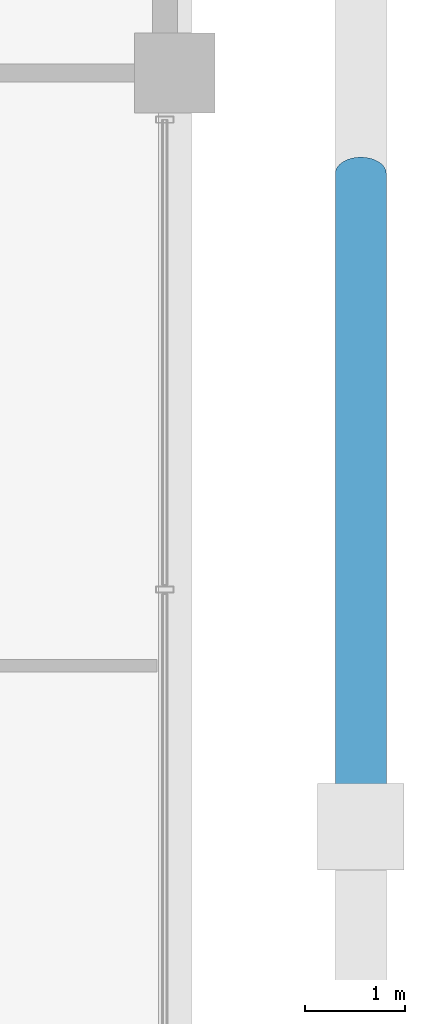
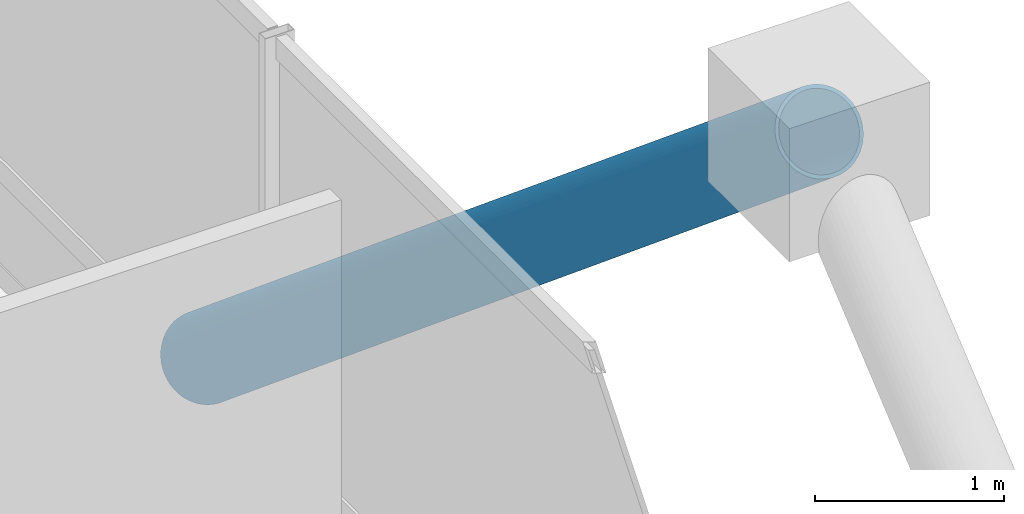
# One storey, part 10 of 23: 1 member.
"""IFC4 building model written with IfcOpenShell, lengths in metres."""

import ifcopenshell
import ifcopenshell.guid

model = None  # the IFC model being written
_history = None  # IfcOwnerHistory: only IFC2X3 demands one
_inside = {}  # id of a spatial element -> (the spatial element, [elements in it])
_under = {}  # id of a project, library or spatial element -> (it, [spatial elements below it])
_declared = {}  # id of a project -> (the project, [libraries it declares])
_typed = {}  # id of a type object -> (the type object, [elements of that type])
_made_of = {}  # id of a material, layer set ... -> (it, [elements and type objects made of it])


def new_model(schema):
    """Start an empty IFC model of exactly this schema.

    Asked for "IFC4X3", IfcOpenShell would pick the latest addendum, in which some entities
    have other attributes; the version numbers below select the first issue.
    IFC2X3 requires an IfcOwnerHistory on every rooted entity: one is made here for all.
    """
    global model, _history
    if schema == "IFC4X3":
        model = ifcopenshell.file(schema_version=(4, 3, 0, 0))
    else:
        model = ifcopenshell.file(schema=schema)
    _inside.clear()
    _under.clear()
    _declared.clear()
    _typed.clear()
    _made_of.clear()
    _history = None
    if model.schema == "IFC2X3":
        org = make("IfcOrganization", Name="unknown")
        user = make(
            "IfcPersonAndOrganization",
            ThePerson=make("IfcPerson", FamilyName="unknown"),
            TheOrganization=org,
        )
        app = make(
            "IfcApplication",
            ApplicationDeveloper=org,
            Version="unknown",
            ApplicationFullName="unknown",
            ApplicationIdentifier="unknown",
        )
        _history = make(
            "IfcOwnerHistory",
            OwningUser=user,
            OwningApplication=app,
            ChangeAction="ADDED",
            CreationDate=0,
        )
    return model


def make(cls, **values):
    """One entity of the class cls with the attributes given. An attribute that is None is left unset."""
    return model.create_entity(
        cls, **{name: value for name, value in values.items() if value is not None}
    )


def rooted(cls, **values):
    """An entity with a GlobalId (a new one), such as an element, a storey or a relation."""
    return make(cls, GlobalId=ifcopenshell.guid.new(), OwnerHistory=_history, **values)


def si_unit(unit_type, name, prefix=None):
    """IfcSIUnit, for example si_unit("LENGTHUNIT", "METRE", prefix="MILLI")."""
    return make("IfcSIUnit", UnitType=unit_type, Prefix=prefix, Name=name)


def assignment(units):
    """IfcUnitAssignment: the units of a project."""
    return None if units is None else make("IfcUnitAssignment", Units=units)


def point(xyz):
    """IfcCartesianPoint."""
    return None if xyz is None else make("IfcCartesianPoint", Coordinates=xyz)


def direction(xyz):
    """IfcDirection."""
    return None if xyz is None else make("IfcDirection", DirectionRatios=xyz)


def frame(location, z_axis=None, x_axis=None):
    """IfcAxis2Placement3D, a coordinate frame: its origin and axes. An axis left out is left unset."""
    return make(
        "IfcAxis2Placement3D",
        Location=point(location),
        Axis=direction(z_axis),
        RefDirection=direction(x_axis),
    )


def frame_2d(location, x_axis=None):
    """IfcAxis2Placement2D, a coordinate frame in the plane: its origin and x axis."""
    return make(
        "IfcAxis2Placement2D", Location=point(location), RefDirection=direction(x_axis)
    )


def origin():
    """The frame at (0, 0, 0) with its axes left unset."""
    return frame((0.0, 0.0, 0.0))


def origin_2d():
    """The frame at (0, 0) in the plane with its x axis left unset."""
    return frame_2d((0.0, 0.0))


def place(relative_to, where):
    """IfcLocalPlacement: puts the frame where relative to a parent placement (None: the world)."""
    return make(
        "IfcLocalPlacement", PlacementRelTo=relative_to, RelativePlacement=where
    )


def context(
    kind, dimensions, precision=None, world=None, true_north=None, identifier=None
):
    """IfcGeometricRepresentationContext, for example the 3D "Model" context."""
    return make(
        "IfcGeometricRepresentationContext",
        ContextIdentifier=identifier,
        ContextType=kind,
        CoordinateSpaceDimension=dimensions,
        Precision=precision,
        WorldCoordinateSystem=world,
        TrueNorth=true_north,
    )


def subcontext(parent, identifier, kind, view, scale=None):
    """IfcGeometricRepresentationSubContext, for example "Body" below "Model"."""
    return make(
        "IfcGeometricRepresentationSubContext",
        ContextIdentifier=identifier,
        ContextType=kind,
        ParentContext=parent,
        TargetScale=scale,
        TargetView=view,
    )


def project(units=None, contexts=None):
    """IfcProject with its units and contexts."""
    return rooted(
        "IfcProject",
        Name="project",
        RepresentationContexts=contexts,
        UnitsInContext=assignment(units),
    )


def spatial(cls, under=None, at=None, **own):
    """A site, building, storey or space (cls), placed at a placement, below another one or the project."""
    s = rooted(cls, ObjectPlacement=at, **own)
    if under is not None:
        _under.setdefault(under.id(), (under, []))[1].append(s)
    return s


def profile(cls, at=None, kind="AREA", **sizes):
    """A parametric profile (cls). Its sizes go by their IFC names, for example OverallWidth=200.0."""
    return make(cls, ProfileType=kind, Position=at, **sizes)


def hollow_circle(**sizes):
    """IfcCircleHollowProfileDef."""
    return profile("IfcCircleHollowProfileDef", **sizes)


def extrude(swept, where, along, depth):
    """IfcExtrudedAreaSolid: the profile swept, set in the frame where, extruded along a direction by depth."""
    return make(
        "IfcExtrudedAreaSolid",
        SweptArea=swept,
        Position=where,
        ExtrudedDirection=direction(along),
        Depth=depth,
    )


def shape(context_of_items, identifier, shape_type, items):
    """IfcShapeRepresentation: the items that make up one representation, for example the "Body"."""
    return make(
        "IfcShapeRepresentation",
        ContextOfItems=context_of_items,
        RepresentationIdentifier=identifier,
        RepresentationType=shape_type,
        Items=items,
    )


def material(Name=None, Category=None):
    """IfcMaterial."""
    return make("IfcMaterial", Name=Name, Category=Category)


def material_profile(
    of_material, cross_section, Name=None, Category=None, Priority=None
):
    """IfcMaterialProfile: a cross section and its material."""
    return make(
        "IfcMaterialProfile",
        Name=Name,
        Material=of_material,
        Profile=cross_section,
        Priority=Priority,
        Category=Category,
    )


def profile_set(profiles, Name=None, composite=None):
    """IfcMaterialProfileSet."""
    return make(
        "IfcMaterialProfileSet",
        Name=Name,
        MaterialProfiles=profiles,
        CompositeProfile=composite,
    )


def made_of(thing, what):
    """Note that an element or type object is made of a material, layer set ...; save() writes the relation."""
    if what is not None:
        _made_of.setdefault(what.id(), (what, []))[1].append(thing)
    return thing


def type_object(cls, material=None, **own):
    """A type object (cls), such as IfcWallType, which elements share."""
    return made_of(rooted(cls, **own), material)


def element(
    cls,
    number,
    at=None,
    inside=None,
    cuts=None,
    type_object=None,
    material=None,
    context=None,
    identifier="Body",
    shape_type=None,
    held_by="IfcProductDefinitionShape",
    body=None,
    shapes=None,
    **own,
):
    """One element of the class cls, such as IfcWall. Its Tag is "e" and its number.

    at: its placement. inside: the storey or other place that contains it. cuts: it is an
    opening in that element (IfcRelVoidsElement). A single representation is given by context,
    identifier, shape_type and body (its items); several are given by shapes. held_by: the class
    of the entity that holds the representations. save() writes the other relations.
    """
    e = rooted(cls, Tag="e%d" % number, ObjectPlacement=at, **own)
    if body is not None:
        shapes = [shape(context, identifier, shape_type, body)]
    if shapes is not None:
        e.Representation = make(held_by, Representations=shapes)
    if inside is not None:
        _inside.setdefault(inside.id(), (inside, []))[1].append(e)
    if cuts is not None:
        rooted(
            "IfcRelVoidsElement", RelatingBuildingElement=cuts, RelatedOpeningElement=e
        )
    if type_object is not None:
        _typed.setdefault(type_object.id(), (type_object, []))[1].append(e)
    return made_of(e, material)


def aggregate(whole, parts):
    """IfcRelAggregates: a whole, such as a stair, and the parts it consists of."""
    return rooted("IfcRelAggregates", RelatingObject=whole, RelatedObjects=parts)


def save(model, path):
    """Write the relations noted so far, then the file.

    IfcRelAggregates (storeys below a building ...), IfcRelContainedInSpatialStructure (elements
    in a storey), IfcRelDefinesByType, IfcRelAssociatesMaterial and IfcRelDeclares: one each for
    every whole, place, type object, material and project.
    """
    for whole, parts in _under.values():
        aggregate(whole, parts)
    for where, things in _inside.values():
        rooted(
            "IfcRelContainedInSpatialStructure",
            RelatedElements=things,
            RelatingStructure=where,
        )
    for kind, things in _typed.values():
        rooted("IfcRelDefinesByType", RelatedObjects=things, RelatingType=kind)
    for what, things in _made_of.values():
        rooted("IfcRelAssociatesMaterial", RelatedObjects=things, RelatingMaterial=what)
    for by, libraries in _declared.values():
        rooted("IfcRelDeclares", RelatingContext=by, RelatedDefinitions=libraries)
    model.write(path)


model = new_model("IFC4")

# Units and contexts
model_context = context("Model", 3, precision=1e-05, world=origin(), true_north=direction((0.0, 1.0)))
body_context = subcontext(model_context, "Body", "Model", "MODEL_VIEW")
ifc_project = project(units=[si_unit("LENGTHUNIT", "METRE"), si_unit("AREAUNIT", "SQUARE_METRE"), si_unit("VOLUMEUNIT", "CUBIC_METRE"), si_unit("PLANEANGLEUNIT", "RADIAN"), si_unit("MASSUNIT", "GRAM", prefix="KILO")], contexts=[model_context])

# Site, building, storey
site_placement = place(None, origin())
site = spatial("IfcSite", under=ifc_project, at=site_placement, CompositionType="ELEMENT")
building_placement = place(site_placement, origin())
building = spatial("IfcBuilding", under=site, at=building_placement, Name="Barlavira Tower and Art Museum", CompositionType="ELEMENT")
storey_placement = place(building_placement, frame((0.0, 0.0, 151.199951171875)))
storey = spatial("IfcBuildingStorey", under=building, at=storey_placement, Name="L38", CompositionType="ELEMENT", Elevation=151.199951171875)

# Member
ifc_material = material(Name="Steel S355", Category="steel")
ifc_material_profile = material_profile(ifc_material, hollow_circle(Radius=0.25390625, WallThickness=0.022216796875, at=origin_2d()), Name="CHS 508.0x22.2")
ifc_profile_set = profile_set([ifc_material_profile], Name="Steel S355")
member_type = type_object("IfcMemberType", Name="Pale-Metal Exoskeleton Diagrid Tube CHS 508x22 Steel S355", PredefinedType="BRACE", material=ifc_profile_set)
member_placement = place(storey_placement, frame((22.10009765625, 6.5, -1.919921875), z_axis=(0.0, -0.769196053329, 0.639012857104), x_axis=(1.0, 0.0, 0.0)))
element("IfcMember", 1, at=member_placement, inside=storey, type_object=member_type, Name="L38 Exoskeleton Diagrid Tube E", PredefinedType="BRACE", context=body_context, shape_type="SweptSolid", body=[
    extrude(hollow_circle(Radius=0.25390625, WallThickness=0.022216796875, at=origin_2d()), origin(), (0.0, 0.0, 1.0), 8.450439453125),
])

save(model, "model.ifc")
